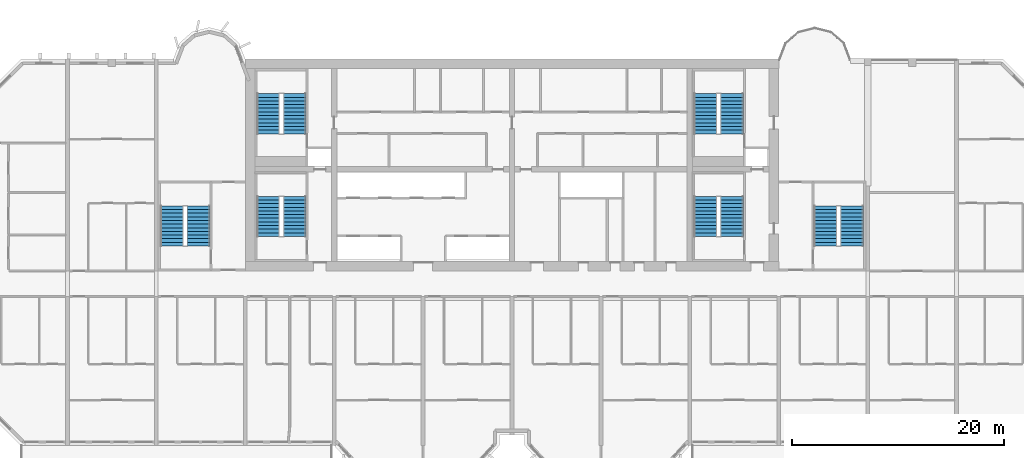
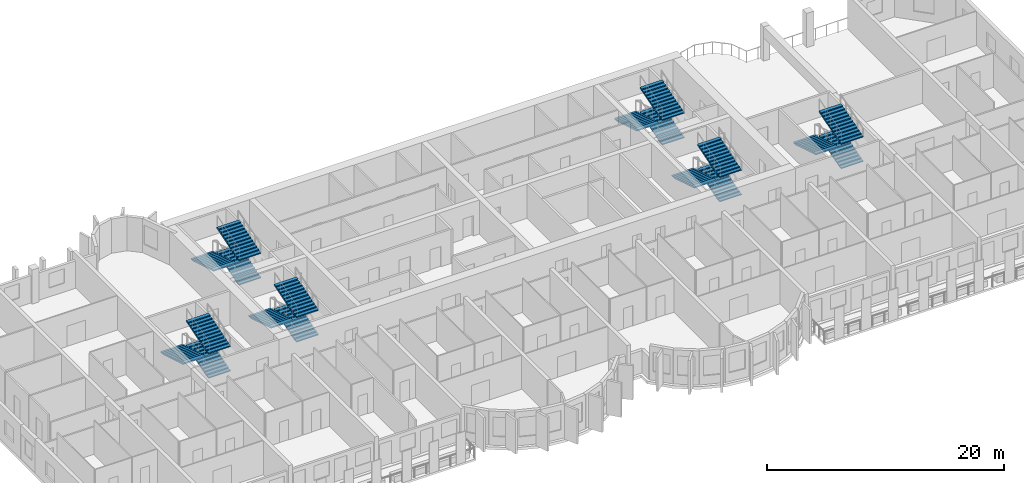
# One storey, part 12 of 15: 18 stair flights, 6 elements without a shape of their own.
"""IFC4 building model written with IfcOpenShell, lengths in metres."""

import ifcopenshell
import ifcopenshell.guid

model = None  # the IFC model being written
_history = None  # IfcOwnerHistory: only IFC2X3 demands one
_inside = {}  # id of a spatial element -> (the spatial element, [elements in it])
_under = {}  # id of a project, library or spatial element -> (it, [spatial elements below it])
_declared = {}  # id of a project -> (the project, [libraries it declares])
_typed = {}  # id of a type object -> (the type object, [elements of that type])
_made_of = {}  # id of a material, layer set ... -> (it, [elements and type objects made of it])


def new_model(schema):
    """Start an empty IFC model of exactly this schema.

    Asked for "IFC4X3", IfcOpenShell would pick the latest addendum, in which some entities
    have other attributes; the version numbers below select the first issue.
    IFC2X3 requires an IfcOwnerHistory on every rooted entity: one is made here for all.
    """
    global model, _history
    if schema == "IFC4X3":
        model = ifcopenshell.file(schema_version=(4, 3, 0, 0))
    else:
        model = ifcopenshell.file(schema=schema)
    _inside.clear()
    _under.clear()
    _declared.clear()
    _typed.clear()
    _made_of.clear()
    _history = None
    if model.schema == "IFC2X3":
        org = make("IfcOrganization", Name="unknown")
        user = make(
            "IfcPersonAndOrganization",
            ThePerson=make("IfcPerson", FamilyName="unknown"),
            TheOrganization=org,
        )
        app = make(
            "IfcApplication",
            ApplicationDeveloper=org,
            Version="unknown",
            ApplicationFullName="unknown",
            ApplicationIdentifier="unknown",
        )
        _history = make(
            "IfcOwnerHistory",
            OwningUser=user,
            OwningApplication=app,
            ChangeAction="ADDED",
            CreationDate=0,
        )
    return model


def make(cls, **values):
    """One entity of the class cls with the attributes given. An attribute that is None is left unset."""
    return model.create_entity(
        cls, **{name: value for name, value in values.items() if value is not None}
    )


def rooted(cls, **values):
    """An entity with a GlobalId (a new one), such as an element, a storey or a relation."""
    return make(cls, GlobalId=ifcopenshell.guid.new(), OwnerHistory=_history, **values)


def si_unit(unit_type, name, prefix=None):
    """IfcSIUnit, for example si_unit("LENGTHUNIT", "METRE", prefix="MILLI")."""
    return make("IfcSIUnit", UnitType=unit_type, Prefix=prefix, Name=name)


def assignment(units):
    """IfcUnitAssignment: the units of a project."""
    return None if units is None else make("IfcUnitAssignment", Units=units)


def point(xyz):
    """IfcCartesianPoint."""
    return None if xyz is None else make("IfcCartesianPoint", Coordinates=xyz)


def direction(xyz):
    """IfcDirection."""
    return None if xyz is None else make("IfcDirection", DirectionRatios=xyz)


def frame(location, z_axis=None, x_axis=None):
    """IfcAxis2Placement3D, a coordinate frame: its origin and axes. An axis left out is left unset."""
    return make(
        "IfcAxis2Placement3D",
        Location=point(location),
        Axis=direction(z_axis),
        RefDirection=direction(x_axis),
    )


def origin():
    """The frame at (0, 0, 0) with its axes left unset."""
    return frame((0.0, 0.0, 0.0))


def place(relative_to, where):
    """IfcLocalPlacement: puts the frame where relative to a parent placement (None: the world)."""
    return make(
        "IfcLocalPlacement", PlacementRelTo=relative_to, RelativePlacement=where
    )


def context(
    kind, dimensions, precision=None, world=None, true_north=None, identifier=None
):
    """IfcGeometricRepresentationContext, for example the 3D "Model" context."""
    return make(
        "IfcGeometricRepresentationContext",
        ContextIdentifier=identifier,
        ContextType=kind,
        CoordinateSpaceDimension=dimensions,
        Precision=precision,
        WorldCoordinateSystem=world,
        TrueNorth=true_north,
    )


def subcontext(parent, identifier, kind, view, scale=None):
    """IfcGeometricRepresentationSubContext, for example "Body" below "Model"."""
    return make(
        "IfcGeometricRepresentationSubContext",
        ContextIdentifier=identifier,
        ContextType=kind,
        ParentContext=parent,
        TargetScale=scale,
        TargetView=view,
    )


def project(units=None, contexts=None):
    """IfcProject with its units and contexts."""
    return rooted(
        "IfcProject",
        Name="project",
        RepresentationContexts=contexts,
        UnitsInContext=assignment(units),
    )


def spatial(cls, under=None, at=None, **own):
    """A site, building, storey or space (cls), placed at a placement, below another one or the project."""
    s = rooted(cls, ObjectPlacement=at, **own)
    if under is not None:
        _under.setdefault(under.id(), (under, []))[1].append(s)
    return s


def polyline(points):
    """IfcPolyline through the points."""
    return make("IfcPolyline", Points=[point(p) for p in points])


def outline(outer, holes=None, kind="AREA"):
    """IfcArbitraryClosedProfileDef: a profile drawn as a closed curve; with holes, ...WithVoids."""
    if holes is None:
        return make("IfcArbitraryClosedProfileDef", ProfileType=kind, OuterCurve=outer)
    return make(
        "IfcArbitraryProfileDefWithVoids",
        ProfileType=kind,
        OuterCurve=outer,
        InnerCurves=holes,
    )


def extrude(swept, where, along, depth):
    """IfcExtrudedAreaSolid: the profile swept, set in the frame where, extruded along a direction by depth."""
    return make(
        "IfcExtrudedAreaSolid",
        SweptArea=swept,
        Position=where,
        ExtrudedDirection=direction(along),
        Depth=depth,
    )


def shape(context_of_items, identifier, shape_type, items):
    """IfcShapeRepresentation: the items that make up one representation, for example the "Body"."""
    return make(
        "IfcShapeRepresentation",
        ContextOfItems=context_of_items,
        RepresentationIdentifier=identifier,
        RepresentationType=shape_type,
        Items=items,
    )


def source(mapping_origin, context_of_items, identifier, shape_type, items):
    """IfcRepresentationMap: a shape defined once, which mapped items show again and again."""
    return make(
        "IfcRepresentationMap",
        MappingOrigin=mapping_origin,
        MappedRepresentation=shape(context_of_items, identifier, shape_type, items),
    )


def transform(
    local_origin,
    x_axis=None,
    y_axis=None,
    z_axis=None,
    scale=None,
    scale2=None,
    scale3=None,
    uniform=True,
):
    """IfcCartesianTransformationOperator3D, or its non-uniform kind. x_axis, y_axis, z_axis: its Axis1, 2, 3."""
    if uniform:
        return make(
            "IfcCartesianTransformationOperator3D",
            Axis1=direction(x_axis),
            Axis2=direction(y_axis),
            LocalOrigin=point(local_origin),
            Scale=scale,
            Axis3=direction(z_axis),
        )
    return make(
        "IfcCartesianTransformationOperator3DnonUniform",
        Axis1=direction(x_axis),
        Axis2=direction(y_axis),
        LocalOrigin=point(local_origin),
        Scale=scale,
        Axis3=direction(z_axis),
        Scale2=scale2,
        Scale3=scale3,
    )


def mapped(mapping_source, mapping_target):
    """IfcMappedItem: shows the shape of a source again, moved by a transform."""
    return make(
        "IfcMappedItem", MappingSource=mapping_source, MappingTarget=mapping_target
    )


def material(Name=None, Category=None):
    """IfcMaterial."""
    return make("IfcMaterial", Name=Name, Category=Category)


def made_of(thing, what):
    """Note that an element or type object is made of a material, layer set ...; save() writes the relation."""
    if what is not None:
        _made_of.setdefault(what.id(), (what, []))[1].append(thing)
    return thing


def type_object(cls, material=None, **own):
    """A type object (cls), such as IfcWallType, which elements share."""
    return made_of(rooted(cls, **own), material)


def element(
    cls,
    number,
    at=None,
    inside=None,
    cuts=None,
    type_object=None,
    material=None,
    context=None,
    identifier="Body",
    shape_type=None,
    held_by="IfcProductDefinitionShape",
    body=None,
    shapes=None,
    **own,
):
    """One element of the class cls, such as IfcWall. Its Tag is "e" and its number.

    at: its placement. inside: the storey or other place that contains it. cuts: it is an
    opening in that element (IfcRelVoidsElement). A single representation is given by context,
    identifier, shape_type and body (its items); several are given by shapes. held_by: the class
    of the entity that holds the representations. save() writes the other relations.
    """
    e = rooted(cls, Tag="e%d" % number, ObjectPlacement=at, **own)
    if body is not None:
        shapes = [shape(context, identifier, shape_type, body)]
    if shapes is not None:
        e.Representation = make(held_by, Representations=shapes)
    if inside is not None:
        _inside.setdefault(inside.id(), (inside, []))[1].append(e)
    if cuts is not None:
        rooted(
            "IfcRelVoidsElement", RelatingBuildingElement=cuts, RelatedOpeningElement=e
        )
    if type_object is not None:
        _typed.setdefault(type_object.id(), (type_object, []))[1].append(e)
    return made_of(e, material)


def aggregate(whole, parts):
    """IfcRelAggregates: a whole, such as a stair, and the parts it consists of."""
    return rooted("IfcRelAggregates", RelatingObject=whole, RelatedObjects=parts)


def save(model, path):
    """Write the relations noted so far, then the file.

    IfcRelAggregates (storeys below a building ...), IfcRelContainedInSpatialStructure (elements
    in a storey), IfcRelDefinesByType, IfcRelAssociatesMaterial and IfcRelDeclares: one each for
    every whole, place, type object, material and project.
    """
    for whole, parts in _under.values():
        aggregate(whole, parts)
    for where, things in _inside.values():
        rooted(
            "IfcRelContainedInSpatialStructure",
            RelatedElements=things,
            RelatingStructure=where,
        )
    for kind, things in _typed.values():
        rooted("IfcRelDefinesByType", RelatedObjects=things, RelatingType=kind)
    for what, things in _made_of.values():
        rooted("IfcRelAssociatesMaterial", RelatedObjects=things, RelatingMaterial=what)
    for by, libraries in _declared.values():
        rooted("IfcRelDeclares", RelatingContext=by, RelatedDefinitions=libraries)
    model.write(path)


model = new_model("IFC4")

# Units and contexts
model_context = context("Model", 3, precision=1e-05, world=origin(), true_north=direction((0.0, 1.0)))
body_context = subcontext(model_context, "Body", "Model", "MODEL_VIEW")
ifc_project = project(units=[si_unit("LENGTHUNIT", "METRE"), si_unit("AREAUNIT", "SQUARE_METRE"), si_unit("VOLUMEUNIT", "CUBIC_METRE"), si_unit("PLANEANGLEUNIT", "RADIAN"), si_unit("MASSUNIT", "GRAM", prefix="KILO")], contexts=[model_context])

# Site, building, storey
site_placement = place(None, origin())
site = spatial("IfcSite", under=ifc_project, at=site_placement, CompositionType="ELEMENT")
building_placement = place(site_placement, origin())
building = spatial("IfcBuilding", under=site, at=building_placement, Name="Vanashikhar Sky Hotel", CompositionType="ELEMENT")
storey_placement = place(building_placement, frame((0.0, 0.0, 137.0)))
storey = spatial("IfcBuildingStorey", under=building, at=storey_placement, Name="L33", CompositionType="ELEMENT", Elevation=137.0)

# Stair, stair flights
ifc_material = material(Name="Concrete M40", Category="concrete")
stair_type = type_object("IfcStairType", Name="Exit stair 2150", PredefinedType="DOUBLE_RETURN_STAIR", material=ifc_material)
stair_1_placement = place(storey_placement, origin())
stair_1 = element("IfcStair", 1, at=stair_1_placement, inside=storey, type_object=stair_type, Name="L33 Exit stair 1", PredefinedType="DOUBLE_RETURN_STAIR")
stair_flight_type = type_object("IfcStairFlightType", Name="Stair flight 2150", PredefinedType="STRAIGHT", material=ifc_material)
shared_shape = source(origin(), body_context, "Body", "SweptSolid", [
    extrude(outline(polyline([(0.0, 0.0), (0.0, 0.10546875), (0.345458984375, 0.10546875), (0.345458984375, 0.211181640625), (0.69091796875, 0.211181640625), (0.69091796875, 0.316650390625), (1.036376953125, 0.316650390625), (1.036376953125, 0.422119140625), (1.3818359375, 0.422119140625), (1.3818359375, 0.52783203125), (1.727294921875, 0.52783203125), (1.727294921875, 0.63330078125), (2.07275390625, 0.63330078125), (2.07275390625, 0.73876953125), (2.418212890625, 0.73876953125), (2.418212890625, 0.844482421875), (2.763671875, 0.844482421875), (2.763671875, 0.949951171875), (3.109130859375, 0.949951171875), (3.109130859375, 1.0556640625), (3.45458984375, 1.0556640625), (3.45458984375, 1.1611328125), (3.800048828125, 1.1611328125), (3.800048828125, 1.2666015625), (3.800048828125, 1.035400390625), (0.4111328125, 0.0), (0.0, 0.0)])), frame((0.0, 1.074951171875, 0.0), z_axis=(0.0, -1.0, 0.0), x_axis=(1.0, 0.0, 0.0)), (0.0, 0.0, 1.0), 2.14990234375),
])
stair_flight_1_placement = place(storey_placement, frame((29.875, 25.25, 0.0), z_axis=(0.0, 0.0, 1.0), x_axis=(0.0, 1.0, 0.0)))
stair_flight_1 = element("IfcStairFlight", 2, at=stair_flight_1_placement, type_object=stair_flight_type, Name="ST-C1 flight 1", NumberOfRisers=12, NumberOfTreads=11, PredefinedType="STRAIGHT", RiserHeight=0.105555556, TreadLength=0.345454545, context=body_context, shape_type="MappedRepresentation", body=[
    mapped(shared_shape, transform((0.0, 0.0, 0.0), scale=1.0)),
])
stair_flight_2_placement = place(storey_placement, frame((27.375, 29.050048828125, 1.2666015625), z_axis=(0.0, 0.0, 1.0), x_axis=(0.0, -1.0, 0.0)))
stair_flight_2 = element("IfcStairFlight", 3, at=stair_flight_2_placement, type_object=stair_flight_type, Name="ST-C1 flight 2", NumberOfRisers=12, NumberOfTreads=11, PredefinedType="STRAIGHT", RiserHeight=0.105555556, TreadLength=0.345454545, context=body_context, shape_type="MappedRepresentation", body=[
    mapped(shared_shape, transform((0.0, 0.0, 0.0), scale=1.0)),
])
stair_flight_3_placement = place(storey_placement, frame((29.875, 25.25, 2.533447265625), z_axis=(0.0, 0.0, 1.0), x_axis=(0.0, 1.0, 0.0)))
stair_flight_3 = element("IfcStairFlight", 4, at=stair_flight_3_placement, type_object=stair_flight_type, Name="ST-C1 flight 3", NumberOfRisers=12, NumberOfTreads=11, PredefinedType="STRAIGHT", RiserHeight=0.105555556, TreadLength=0.345454545, context=body_context, shape_type="MappedRepresentation", body=[
    mapped(shared_shape, transform((0.0, 0.0, 0.0), scale=1.0)),
])
aggregate(stair_1, [stair_flight_1, stair_flight_2, stair_flight_3])

stair_2_placement = place(storey_placement, origin())
stair_2 = element("IfcStair", 5, at=stair_2_placement, inside=storey, type_object=stair_type, Name="L33 Exit stair 2", PredefinedType="DOUBLE_RETURN_STAIR")
stair_flight_4_placement = place(storey_placement, frame((71.175048828125, 25.25, 0.0), z_axis=(0.0, 0.0, 1.0), x_axis=(0.0, 1.0, 0.0)))
stair_flight_4 = element("IfcStairFlight", 6, at=stair_flight_4_placement, type_object=stair_flight_type, Name="ST-C2 flight 1", NumberOfRisers=12, NumberOfTreads=11, PredefinedType="STRAIGHT", RiserHeight=0.105555556, TreadLength=0.345454545, context=body_context, shape_type="MappedRepresentation", body=[
    mapped(shared_shape, transform((0.0, 0.0, 0.0), scale=1.0)),
])
stair_flight_5_placement = place(storey_placement, frame((68.675048828125, 29.050048828125, 1.2666015625), z_axis=(0.0, 0.0, 1.0), x_axis=(0.0, -1.0, 0.0)))
stair_flight_5 = element("IfcStairFlight", 7, at=stair_flight_5_placement, type_object=stair_flight_type, Name="ST-C2 flight 2", NumberOfRisers=12, NumberOfTreads=11, PredefinedType="STRAIGHT", RiserHeight=0.105555556, TreadLength=0.345454545, context=body_context, shape_type="MappedRepresentation", body=[
    mapped(shared_shape, transform((0.0, 0.0, 0.0), scale=1.0)),
])
stair_flight_6_placement = place(storey_placement, frame((71.175048828125, 25.25, 2.533447265625), z_axis=(0.0, 0.0, 1.0), x_axis=(0.0, 1.0, 0.0)))
stair_flight_6 = element("IfcStairFlight", 8, at=stair_flight_6_placement, type_object=stair_flight_type, Name="ST-C2 flight 3", NumberOfRisers=12, NumberOfTreads=11, PredefinedType="STRAIGHT", RiserHeight=0.105555556, TreadLength=0.345454545, context=body_context, shape_type="MappedRepresentation", body=[
    mapped(shared_shape, transform((0.0, 0.0, 0.0), scale=1.0)),
])
aggregate(stair_2, [stair_flight_4, stair_flight_5, stair_flight_6])

stair_3_placement = place(storey_placement, origin())
stair_3 = element("IfcStair", 9, at=stair_3_placement, inside=storey, type_object=stair_type, Name="L33 Exit stair 3", PredefinedType="DOUBLE_RETURN_STAIR")
stair_flight_7_placement = place(storey_placement, frame((20.77490234375, 24.35009765625, 0.0), z_axis=(0.0, 0.0, 1.0), x_axis=(0.0, 1.0, 0.0)))
stair_flight_7 = element("IfcStairFlight", 10, at=stair_flight_7_placement, type_object=stair_flight_type, Name="ST-W flight 1", NumberOfRisers=12, NumberOfTreads=11, PredefinedType="STRAIGHT", RiserHeight=0.105555556, TreadLength=0.345454545, context=body_context, shape_type="MappedRepresentation", body=[
    mapped(shared_shape, transform((0.0, 0.0, 0.0), scale=1.0)),
])
stair_flight_8_placement = place(storey_placement, frame((18.27490234375, 28.14990234375, 1.2666015625), z_axis=(0.0, 0.0, 1.0), x_axis=(0.0, -1.0, 0.0)))
stair_flight_8 = element("IfcStairFlight", 11, at=stair_flight_8_placement, type_object=stair_flight_type, Name="ST-W flight 2", NumberOfRisers=12, NumberOfTreads=11, PredefinedType="STRAIGHT", RiserHeight=0.105555556, TreadLength=0.345454545, context=body_context, shape_type="MappedRepresentation", body=[
    mapped(shared_shape, transform((0.0, 0.0, 0.0), scale=1.0)),
])
stair_flight_9_placement = place(storey_placement, frame((20.77490234375, 24.35009765625, 2.533447265625), z_axis=(0.0, 0.0, 1.0), x_axis=(0.0, 1.0, 0.0)))
stair_flight_9 = element("IfcStairFlight", 12, at=stair_flight_9_placement, type_object=stair_flight_type, Name="ST-W flight 3", NumberOfRisers=12, NumberOfTreads=11, PredefinedType="STRAIGHT", RiserHeight=0.105555556, TreadLength=0.345454545, context=body_context, shape_type="MappedRepresentation", body=[
    mapped(shared_shape, transform((0.0, 0.0, 0.0), scale=1.0)),
])
aggregate(stair_3, [stair_flight_7, stair_flight_8, stair_flight_9])

stair_4_placement = place(storey_placement, origin())
stair_4 = element("IfcStair", 13, at=stair_4_placement, inside=storey, type_object=stair_type, Name="L33 Exit stair 4", PredefinedType="DOUBLE_RETURN_STAIR")
stair_flight_10_placement = place(storey_placement, frame((82.52490234375, 24.35009765625, 0.0), z_axis=(0.0, 0.0, 1.0), x_axis=(0.0, 1.0, 0.0)))
stair_flight_10 = element("IfcStairFlight", 14, at=stair_flight_10_placement, type_object=stair_flight_type, Name="ST-E flight 1", NumberOfRisers=12, NumberOfTreads=11, PredefinedType="STRAIGHT", RiserHeight=0.105555556, TreadLength=0.345454545, context=body_context, shape_type="MappedRepresentation", body=[
    mapped(shared_shape, transform((0.0, 0.0, 0.0), scale=1.0)),
])
stair_flight_11_placement = place(storey_placement, frame((80.02490234375, 28.14990234375, 1.2666015625), z_axis=(0.0, 0.0, 1.0), x_axis=(0.0, -1.0, 0.0)))
stair_flight_11 = element("IfcStairFlight", 15, at=stair_flight_11_placement, type_object=stair_flight_type, Name="ST-E flight 2", NumberOfRisers=12, NumberOfTreads=11, PredefinedType="STRAIGHT", RiserHeight=0.105555556, TreadLength=0.345454545, context=body_context, shape_type="MappedRepresentation", body=[
    mapped(shared_shape, transform((0.0, 0.0, 0.0), scale=1.0)),
])
stair_flight_12_placement = place(storey_placement, frame((82.52490234375, 24.35009765625, 2.533447265625), z_axis=(0.0, 0.0, 1.0), x_axis=(0.0, 1.0, 0.0)))
stair_flight_12 = element("IfcStairFlight", 16, at=stair_flight_12_placement, type_object=stair_flight_type, Name="ST-E flight 3", NumberOfRisers=12, NumberOfTreads=11, PredefinedType="STRAIGHT", RiserHeight=0.105555556, TreadLength=0.345454545, context=body_context, shape_type="MappedRepresentation", body=[
    mapped(shared_shape, transform((0.0, 0.0, 0.0), scale=1.0)),
])
aggregate(stair_4, [stair_flight_10, stair_flight_11, stair_flight_12])

stair_5_placement = place(storey_placement, origin())
stair_5 = element("IfcStair", 17, at=stair_5_placement, inside=storey, type_object=stair_type, Name="L33 Exit stair 5", PredefinedType="DOUBLE_RETURN_STAIR")
stair_flight_13_placement = place(storey_placement, frame((29.875, 34.949951171875, 0.0), z_axis=(0.0, 0.0, 1.0), x_axis=(0.0, 1.0, 0.0)))
stair_flight_13 = element("IfcStairFlight", 18, at=stair_flight_13_placement, type_object=stair_flight_type, Name="ST-C3 flight 1", NumberOfRisers=12, NumberOfTreads=11, PredefinedType="STRAIGHT", RiserHeight=0.105555556, TreadLength=0.345454545, context=body_context, shape_type="MappedRepresentation", body=[
    mapped(shared_shape, transform((0.0, 0.0, 0.0), scale=1.0)),
])
stair_flight_14_placement = place(storey_placement, frame((27.375, 38.75, 1.2666015625), z_axis=(0.0, 0.0, 1.0), x_axis=(0.0, -1.0, 0.0)))
stair_flight_14 = element("IfcStairFlight", 19, at=stair_flight_14_placement, type_object=stair_flight_type, Name="ST-C3 flight 2", NumberOfRisers=12, NumberOfTreads=11, PredefinedType="STRAIGHT", RiserHeight=0.105555556, TreadLength=0.345454545, context=body_context, shape_type="MappedRepresentation", body=[
    mapped(shared_shape, transform((0.0, 0.0, 0.0), scale=1.0)),
])
stair_flight_15_placement = place(storey_placement, frame((29.875, 34.949951171875, 2.533447265625), z_axis=(0.0, 0.0, 1.0), x_axis=(0.0, 1.0, 0.0)))
stair_flight_15 = element("IfcStairFlight", 20, at=stair_flight_15_placement, type_object=stair_flight_type, Name="ST-C3 flight 3", NumberOfRisers=12, NumberOfTreads=11, PredefinedType="STRAIGHT", RiserHeight=0.105555556, TreadLength=0.345454545, context=body_context, shape_type="MappedRepresentation", body=[
    mapped(shared_shape, transform((0.0, 0.0, 0.0), scale=1.0)),
])
aggregate(stair_5, [stair_flight_13, stair_flight_14, stair_flight_15])

stair_6_placement = place(storey_placement, origin())
stair_6 = element("IfcStair", 21, at=stair_6_placement, inside=storey, type_object=stair_type, Name="L33 Exit stair 6", PredefinedType="DOUBLE_RETURN_STAIR")
stair_flight_16_placement = place(storey_placement, frame((71.175048828125, 34.949951171875, 0.0), z_axis=(0.0, 0.0, 1.0), x_axis=(0.0, 1.0, 0.0)))
stair_flight_16 = element("IfcStairFlight", 22, at=stair_flight_16_placement, type_object=stair_flight_type, Name="ST-C4 flight 1", NumberOfRisers=12, NumberOfTreads=11, PredefinedType="STRAIGHT", RiserHeight=0.105555556, TreadLength=0.345454545, context=body_context, shape_type="MappedRepresentation", body=[
    mapped(shared_shape, transform((0.0, 0.0, 0.0), scale=1.0)),
])
stair_flight_17_placement = place(storey_placement, frame((68.675048828125, 38.75, 1.2666015625), z_axis=(0.0, 0.0, 1.0), x_axis=(0.0, -1.0, 0.0)))
stair_flight_17 = element("IfcStairFlight", 23, at=stair_flight_17_placement, type_object=stair_flight_type, Name="ST-C4 flight 2", NumberOfRisers=12, NumberOfTreads=11, PredefinedType="STRAIGHT", RiserHeight=0.105555556, TreadLength=0.345454545, context=body_context, shape_type="MappedRepresentation", body=[
    mapped(shared_shape, transform((0.0, 0.0, 0.0), scale=1.0)),
])
stair_flight_18_placement = place(storey_placement, frame((71.175048828125, 34.949951171875, 2.533447265625), z_axis=(0.0, 0.0, 1.0), x_axis=(0.0, 1.0, 0.0)))
stair_flight_18 = element("IfcStairFlight", 24, at=stair_flight_18_placement, type_object=stair_flight_type, Name="ST-C4 flight 3", NumberOfRisers=12, NumberOfTreads=11, PredefinedType="STRAIGHT", RiserHeight=0.105555556, TreadLength=0.345454545, context=body_context, shape_type="MappedRepresentation", body=[
    mapped(shared_shape, transform((0.0, 0.0, 0.0), scale=1.0)),
])
aggregate(stair_6, [stair_flight_16, stair_flight_17, stair_flight_18])

save(model, "model.ifc")
